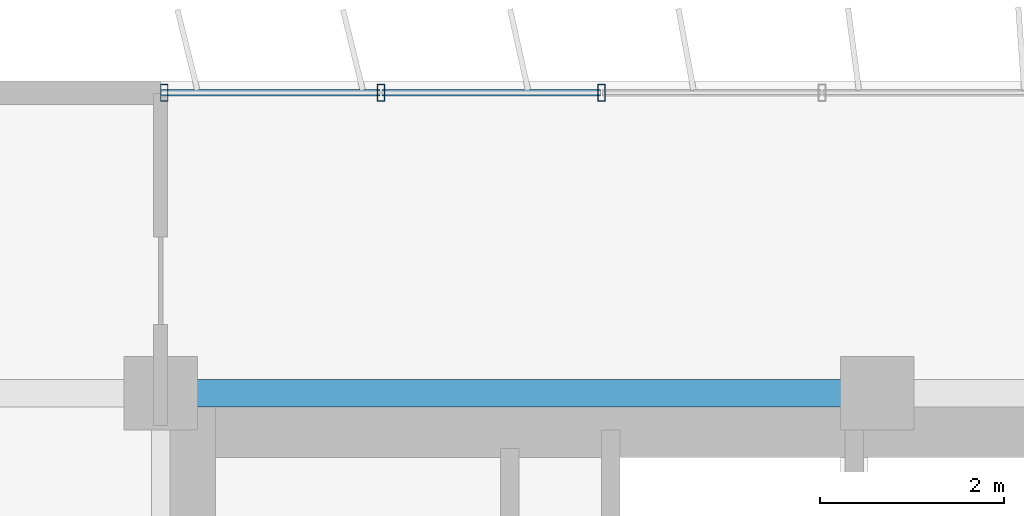
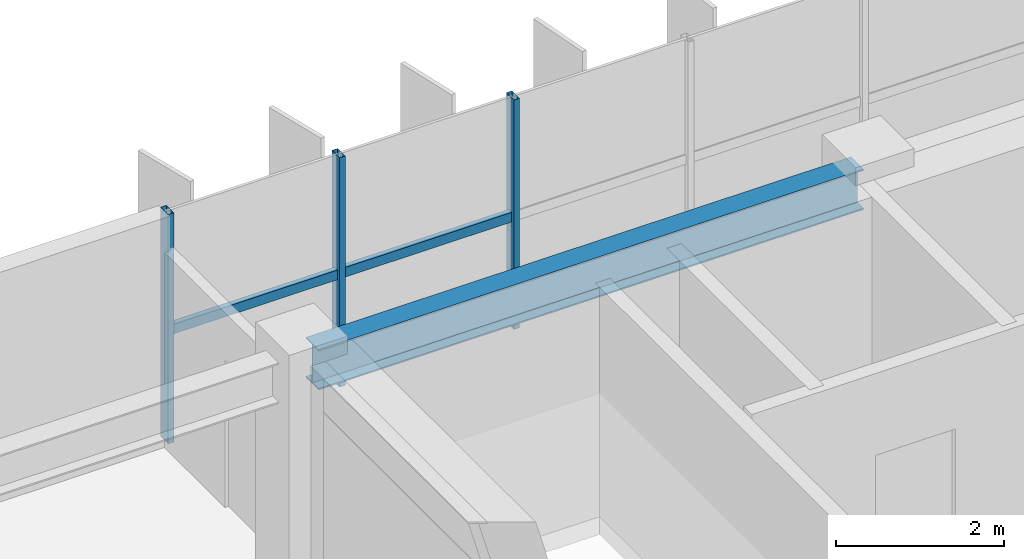
# One storey, part 5 of 21: 5 members, 1 beam, 1 element without a shape of its own.
"""IFC4 building model written with IfcOpenShell, lengths in metres."""

from ifc_helpers import new_model, si_unit, direction, frame, origin, origin_2d, place, context, subcontext, project, spatial, hollow_rectangle, i_section, extrude, source, transform, mapped, material, material_profile, profile_set, type_object, element, aggregate, save


model = new_model("IFC4")

# Units and contexts
model_context = context("Model", 3, precision=1e-05, world=origin(), true_north=direction((0.0, 1.0)))
body_context = subcontext(model_context, "Body", "Model", "MODEL_VIEW")
ifc_project = project(units=[si_unit("LENGTHUNIT", "METRE"), si_unit("AREAUNIT", "SQUARE_METRE"), si_unit("VOLUMEUNIT", "CUBIC_METRE"), si_unit("PLANEANGLEUNIT", "RADIAN"), si_unit("MASSUNIT", "GRAM", prefix="KILO")], contexts=[model_context])

# Site, building, storey
site_placement = place(None, origin())
site = spatial("IfcSite", under=ifc_project, at=site_placement, CompositionType="ELEMENT")
building_placement = place(site_placement, origin())
building = spatial("IfcBuilding", under=site, at=building_placement, Name="Trelvane Seafront Commons", CompositionType="ELEMENT")
storey_placement = place(building_placement, frame((0.0, 0.0, 103.300048828125)))
storey = spatial("IfcBuildingStorey", under=building, at=storey_placement, Name="L26", CompositionType="ELEMENT", Elevation=103.300048828125)

# Beam
ifc_material_1 = material(Name="Steel SM355 (S355)", Category="steel")
ifc_material_profile_1 = material_profile(ifc_material_1, i_section(OverallWidth=0.300048828125, OverallDepth=0.587890625, WebThickness=0.011962890625, FlangeThickness=0.02001953125, at=origin_2d()), Name="H-588x300x12x20")
ifc_profile_set_1 = profile_set([ifc_material_profile_1], Name="Steel SM355 (S355)")
beam_type = type_object("IfcBeamType", Name="STR-BM-H588", PredefinedType="BEAM", material=ifc_profile_set_1)
shared_shape_1 = source(origin(), body_context, "Body", "SweptSolid", [
    extrude(i_section(OverallWidth=0.300048828125, OverallDepth=0.587890625, WebThickness=0.011962890625, FlangeThickness=0.02001953125, at=origin_2d()), origin(), (0.0, 0.0, 1.0), 7.5),
])
beam_placement = place(storey_placement, frame((15.75, 45.10009765625, 3.0458984375), z_axis=(1.0, 0.0, 0.0), x_axis=(0.0, 1.0, 0.0)))
element("IfcBeam", 1, at=beam_placement, inside=storey, type_object=beam_type, Name="L26 Primary Girder G-30", PredefinedType="BEAM", context=body_context, shape_type="MappedRepresentation", body=[
    mapped(shared_shape_1, transform((0.0, 0.0, 0.0), x_axis=(1.0, 0.0, 0.0), y_axis=(0.0, 1.0, 0.0), z_axis=(0.0, 0.0, 1.0), scale=1.0)),
])

# Curtain wall, members
ifc_material_2 = material(Name="Anodised pale-silver aluminium", Category="aluminium")
curtain_wall_type = type_object("IfcCurtainWallType", Name="ARCH-CW4-SKYLOBBY", PredefinedType="NOTDEFINED", material=ifc_material_2)
curtain_wall_placement = place(storey_placement, origin())
curtain_wall = element("IfcCurtainWall", 2, at=curtain_wall_placement, inside=storey, type_object=curtain_wall_type, Name="CW-L26-0051", PredefinedType="NOTDEFINED")
ifc_material_profile_2 = material_profile(ifc_material_2, hollow_rectangle(XDim=0.074951171875, YDim=0.139892578125, WallThickness=0.00390625, at=origin_2d()), Name="TRAN-75x140x4")
ifc_profile_set_2 = profile_set([ifc_material_profile_2], Name="Anodised pale-silver aluminium")
member_type_1 = type_object("IfcMemberType", Name="ARCH-CW-TRAN-140", PredefinedType="USERDEFINED", material=ifc_profile_set_2)
shared_shape_2 = source(origin(), body_context, "Body", "SweptSolid", [
    extrude(hollow_rectangle(XDim=0.074951171875, YDim=0.139892578125, WallThickness=0.00390625, at=origin_2d()), origin(), (0.0, 0.0, 1.0), 2.3759765625),
])
member_1_placement = place(storey_placement, frame((15.612060546875, 48.3701171875, 1.60302734375), z_axis=(1.0, 0.0, 0.0), x_axis=(0.0, 1.0, 0.0)))
member_1 = element("IfcMember", 3, at=member_1_placement, type_object=member_type_1, Name="CW-L26-0051-T00", ObjectType="TRANSOM", PredefinedType="USERDEFINED", context=body_context, shape_type="MappedRepresentation", body=[
    mapped(shared_shape_2, transform((0.0, 0.0, 0.0), x_axis=(1.0, 0.0, 0.0), y_axis=(0.0, 1.0, 0.0), z_axis=(0.0, 0.0, 1.0), scale=1.0)),
])
member_2_placement = place(storey_placement, frame((18.011962890625, 48.3701171875, 1.60302734375), z_axis=(1.0, 0.0, 0.0), x_axis=(0.0, 1.0, 0.0)))
member_2 = element("IfcMember", 4, at=member_2_placement, type_object=member_type_1, Name="CW-L26-0051-T01", ObjectType="TRANSOM", PredefinedType="USERDEFINED", context=body_context, shape_type="MappedRepresentation", body=[
    mapped(shared_shape_2, transform((0.0, 0.0, 0.0), x_axis=(1.0, 0.0, 0.0), y_axis=(0.0, 1.0, 0.0), z_axis=(0.0, 0.0, 1.0), scale=1.0)),
])
ifc_material_profile_3 = material_profile(ifc_material_2, hollow_rectangle(XDim=0.080078125, YDim=0.179931640625, WallThickness=0.00439453125, at=origin_2d()), Name="MULL-80x180x4.5")
ifc_profile_set_3 = profile_set([ifc_material_profile_3], Name="Anodised pale-silver aluminium")
member_type_2 = type_object("IfcMemberType", Name="ARCH-CW-MULL-180", PredefinedType="MULLION", material=ifc_profile_set_3)
shared_shape_3 = source(origin(), body_context, "Body", "SweptSolid", [
    extrude(hollow_rectangle(XDim=0.080078125, YDim=0.179931640625, WallThickness=0.00439453125, at=origin_2d()), origin(), (0.0, 0.0, 1.0), 3.33984375),
])
member_3_placement = place(storey_placement, frame((15.639892578125, 48.3701171875, 0.0), z_axis=(0.0, 0.0, 1.0), x_axis=(1.0, 0.0, 0.0)))
member_3 = element("IfcMember", 5, at=member_3_placement, type_object=member_type_2, Name="CW-L26-0051-M00", PredefinedType="MULLION", context=body_context, shape_type="MappedRepresentation", body=[
    mapped(shared_shape_3, transform((0.0, 0.0, 0.0), x_axis=(1.0, 0.0, 0.0), y_axis=(0.0, 1.0, 0.0), z_axis=(0.0, 0.0, 1.0), scale=1.0)),
])
member_4_placement = place(storey_placement, frame((18.0, 48.3701171875, 0.0), z_axis=(0.0, 0.0, 1.0), x_axis=(1.0, 0.0, 0.0)))
member_4 = element("IfcMember", 6, at=member_4_placement, type_object=member_type_2, Name="CW-L26-0051-M01", PredefinedType="MULLION", context=body_context, shape_type="MappedRepresentation", body=[
    mapped(shared_shape_3, transform((0.0, 0.0, 0.0), x_axis=(1.0, 0.0, 0.0), y_axis=(0.0, 1.0, 0.0), z_axis=(0.0, 0.0, 1.0), scale=1.0)),
])
member_5_placement = place(storey_placement, frame((20.39990234375, 48.3701171875, 0.0), z_axis=(0.0, 0.0, 1.0), x_axis=(1.0, 0.0, 0.0)))
member_5 = element("IfcMember", 7, at=member_5_placement, type_object=member_type_2, Name="CW-L26-0051-M02", PredefinedType="MULLION", context=body_context, shape_type="MappedRepresentation", body=[
    mapped(shared_shape_3, transform((0.0, 0.0, 0.0), x_axis=(1.0, 0.0, 0.0), y_axis=(0.0, 1.0, 0.0), z_axis=(0.0, 0.0, 1.0), scale=1.0)),
])
aggregate(curtain_wall, [member_3, member_4, member_5, member_1, member_2])

save(model, "model.ifc")
